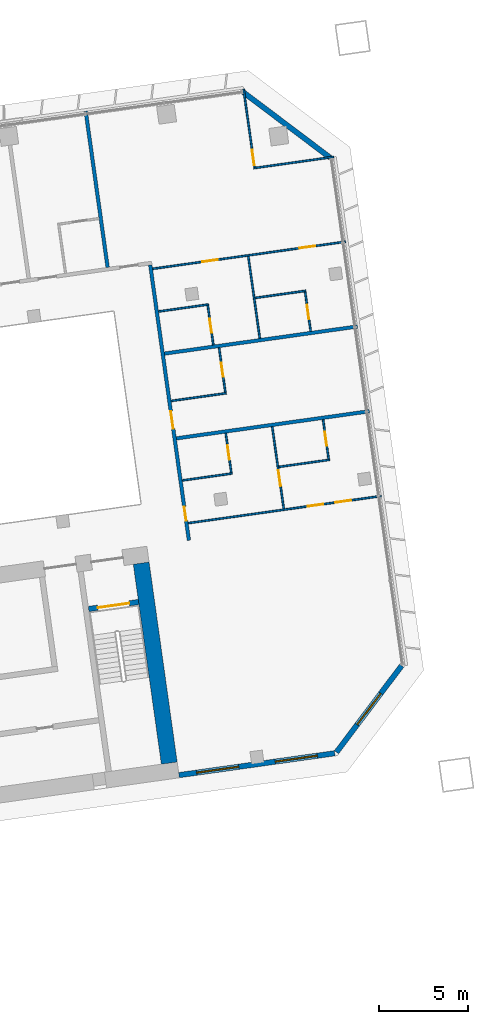
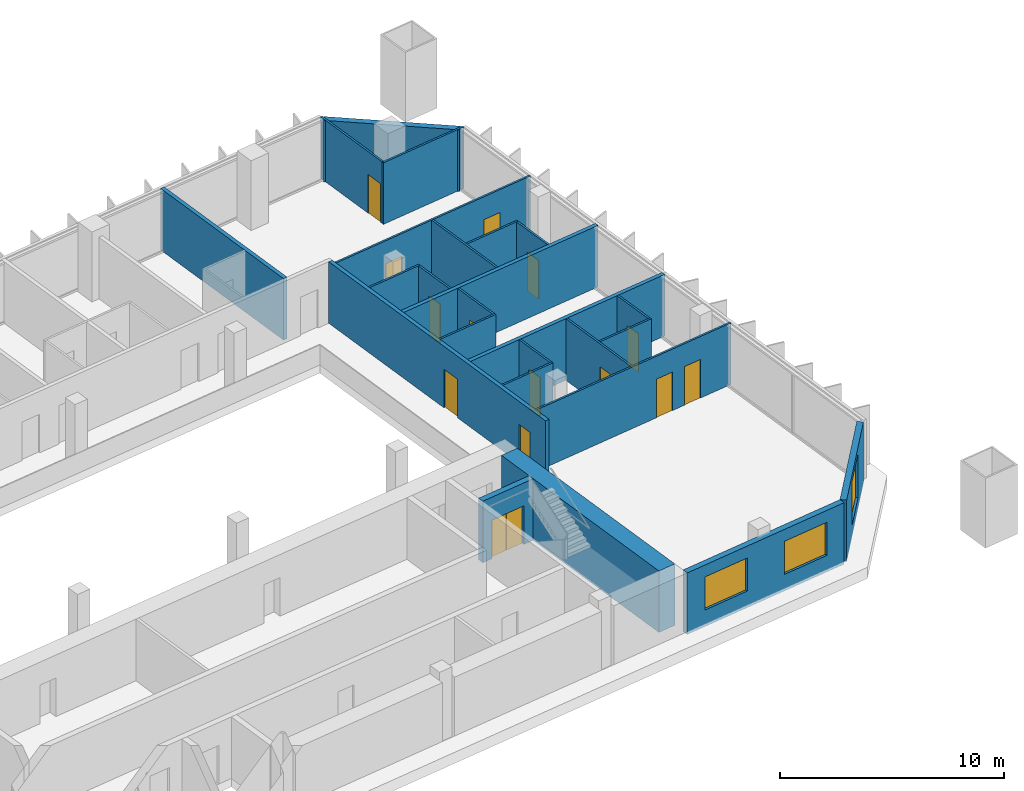
# One storey, part 22 of 25: 25 walls, 14 doors, 3 windows, 17 openings.
"""IFC4 building model written with IfcOpenShell, lengths in metres."""

from ifc_helpers import new_model, si_unit, direction, frame, frame_2d, origin, place, context, subcontext, project, spatial, rectangle, extrude, material, layer, layer_set, type_object, element, fill, save


model = new_model("IFC4")

# Units and contexts
model_context = context("Model", 3, precision=1e-05, world=origin(), true_north=direction((0.0, 1.0)))
body_context = subcontext(model_context, "Body", "Model", "MODEL_VIEW")
ifc_project = project(units=[si_unit("LENGTHUNIT", "METRE"), si_unit("AREAUNIT", "SQUARE_METRE"), si_unit("VOLUMEUNIT", "CUBIC_METRE"), si_unit("PLANEANGLEUNIT", "RADIAN"), si_unit("MASSUNIT", "GRAM", prefix="KILO")], contexts=[model_context])

# Site, building, storey
site_placement = place(None, origin())
site = spatial("IfcSite", under=ifc_project, at=site_placement, CompositionType="ELEMENT")
building_placement = place(site_placement, origin())
building = spatial("IfcBuilding", under=site, at=building_placement, Name="Mirante Cascada Hotel Towers", CompositionType="ELEMENT")
storey_placement = place(building_placement, frame((0.0, 0.0, 73.7)))
storey = spatial("IfcBuildingStorey", under=building, at=storey_placement, Name="L15", CompositionType="ELEMENT", Elevation=73.7)

# Walls
ifc_material_1 = material(Name="Fire-rated plasterboard on metal studs")
ifc_layer_1 = layer(ifc_material_1, 0.2)
ifc_layer_set_1 = layer_set([ifc_layer_1], Name="Compartment wall 200 EI 120")
wall_type_1 = type_object("IfcWallType", Name="Compartment wall 200 EI 120", PredefinedType="PARTITIONING", material=ifc_layer_set_1)
for number, where, z_axis, x_axis, name in (
    (1, (101.2993, 8.0205, 0.0), (0.0, 0.0, 1.0), (-0.990268, -0.1391733, 0.0), "Wall 2-L15-07"),
    (2, (89.7337, 11.2758, 0.0), (0.0, 0.0, 1.0), (0.990268, 0.1391733, 0.0), "Wall 2-L15-12"),
):
    element("IfcWall", number, at=place(storey_placement, frame(where, z_axis=z_axis, x_axis=x_axis)), inside=storey, type_object=wall_type_1, Name=name, PredefinedType="PARTITIONING", context=body_context, shape_type="SweptSolid", body=[
        extrude(rectangle(XDim=11.0, YDim=0.2, at=frame_2d((5.5, 0.0))), origin(), (0.0, 0.0, 1.0), 3.35),
    ])
wall_1_placement = place(storey_placement, frame((85.2864, 24.9567, 0.0), z_axis=(0.0, 0.0, 1.0), x_axis=(0.1391684, -0.9902687, 0.0)))
element("IfcWall", 3, at=wall_1_placement, inside=storey, type_object=wall_type_1, Name="Wall 2-L15-51", PredefinedType="PARTITIONING", context=body_context, shape_type="SweptSolid", body=[
    extrude(rectangle(XDim=8.9, YDim=0.2, at=frame_2d((4.45, 0.0))), origin(), (0.0, 0.0, 1.0), 3.35),
])

# Wall, openings, doors
wall_2_placement = place(storey_placement, frame((91.1145, 0.7321, 0.0), z_axis=(0.0, 0.0, 1.0), x_axis=(-0.1391721, 0.9902682, 0.0)))
wall_2 = element("IfcWall", 4, at=wall_2_placement, inside=storey, type_object=wall_type_1, Name="Wall 2-L15-52", PredefinedType="PARTITIONING", context=body_context, shape_type="SweptSolid", body=[
    extrude(rectangle(XDim=15.7, YDim=0.2, at=frame_2d((7.85, 0.0))), origin(), (0.0, 0.0, 1.0), 3.35),
])
opening_1_placement = place(wall_2_placement, frame((1.1167, 0.0, 0.0)))
opening_1 = element("IfcOpeningElement", 5, at=opening_1_placement, cuts=wall_2, Name="Opening D2-L15-34", PredefinedType="OPENING", context=body_context, shape_type="SweptSolid", body=[
    extrude(rectangle(XDim=0.8, YDim=2.1, at=frame_2d((0.4, 1.05))), frame((0.0, 0.1, 0.0), z_axis=(0.0, -1.0, 0.0), x_axis=(1.0, 0.0, 0.0)), (0.0, 0.0, 1.0), 0.2),
])
opening_2_placement = place(wall_2_placement, frame((6.3666, 0.0, 0.0)))
opening_2 = element("IfcOpeningElement", 6, at=opening_2_placement, cuts=wall_2, Name="Opening D2-L15-35", PredefinedType="OPENING", context=body_context, shape_type="SweptSolid", body=[
    extrude(rectangle(XDim=1.0, YDim=2.1, at=frame_2d((0.5, 1.05))), frame((0.0, 0.1, 0.0), z_axis=(0.0, -1.0, 0.0), x_axis=(1.0, 0.0, 0.0)), (0.0, 0.0, 1.0), 0.2),
])
ifc_material_2 = material(Name="Fire-rated timber door leaf", Category="wood")
door_type_1 = type_object("IfcDoorType", Name="Bathroom door DG4 800x2100 EI 60", OperationType="SINGLE_SWING_LEFT", PredefinedType="DOOR", material=ifc_material_2)
door_1_placement = place(opening_1_placement, origin())
door_1 = element("IfcDoor", 7, at=door_1_placement, inside=storey, type_object=door_type_1, Name="Door D2-L15-34", OperationType="SINGLE_SWING_LEFT", OverallHeight=2.1, OverallWidth=0.8, PredefinedType="DOOR", context=body_context, shape_type="SweptSolid", body=[
    extrude(rectangle(XDim=0.8, YDim=2.1, at=frame_2d((0.4, 1.05))), frame((0.0, 0.025, 0.0), z_axis=(0.0, -1.0, 0.0), x_axis=(1.0, 0.0, 0.0)), (0.0, 0.0, 1.0), 0.05),
])
fill(opening_1, door_1)
ifc_material_3 = material(Name="Fire-rated timber door leaf", Category="wood")
door_type_2 = type_object("IfcDoorType", Name="Entrance door DG1 1000x2100 EI 60", OperationType="SINGLE_SWING_LEFT", PredefinedType="DOOR", material=ifc_material_3)
door_2_placement = place(opening_2_placement, frame((1.0, 0.0, 0.0), z_axis=(0.0, 0.0, 1.0), x_axis=(-1.0, 0.0, 0.0)))
door_2 = element("IfcDoor", 8, at=door_2_placement, inside=storey, type_object=door_type_2, Name="Door D2-L15-35", OperationType="SINGLE_SWING_RIGHT", OverallHeight=2.1, OverallWidth=1.0, PredefinedType="DOOR", context=body_context, shape_type="SweptSolid", body=[
    extrude(rectangle(XDim=1.0, YDim=2.1, at=frame_2d((0.5, 1.05))), frame((0.0, 0.025, 0.0), z_axis=(0.0, -1.0, 0.0), x_axis=(1.0, 0.0, 0.0)), (0.0, 0.0, 1.0), 0.05),
])
fill(opening_2, door_2)

ifc_material_4 = material(Name="Plasterboard on metal studs")
ifc_layer_2 = layer(ifc_material_4, 0.1)
ifc_layer_set_2 = layer_set([ifc_layer_2], Name="Partition 100")
wall_type_2 = type_object("IfcWallType", Name="Partition 100", PredefinedType="PARTITIONING", material=ifc_layer_set_2)
wall_3_placement = place(storey_placement, frame((91.079, 1.7033, 0.0), z_axis=(0.0, 0.0, 1.0), x_axis=(0.9902682, 0.1391721, 0.0)))
wall_3 = element("IfcWall", 9, at=wall_3_placement, inside=storey, type_object=wall_type_2, Name="Wall 2-L15-02", PredefinedType="PARTITIONING", context=body_context, shape_type="SweptSolid", body=[
    extrude(rectangle(XDim=11.0001, YDim=0.1, at=frame_2d((5.5, 0.0))), origin(), (0.0, 0.0, 1.0), 3.35),
])
opening_3_placement = place(wall_3_placement, frame((6.8, 0.0, 0.0)))
opening_3 = element("IfcOpeningElement", 10, at=opening_3_placement, cuts=wall_3, Name="Opening D2-L15-02", PredefinedType="OPENING", context=body_context, shape_type="SweptSolid", body=[
    extrude(rectangle(XDim=0.9, YDim=2.1, at=frame_2d((0.45, 1.05))), frame((0.0, 0.05, 0.0), z_axis=(0.0, -1.0, 0.0), x_axis=(1.0, 0.0, 0.0)), (0.0, 0.0, 1.0), 0.1),
])
opening_4_placement = place(wall_3_placement, frame((8.375, 0.0, 0.0)))
opening_4 = element("IfcOpeningElement", 11, at=opening_4_placement, cuts=wall_3, Name="Opening D2-L15-03", PredefinedType="OPENING", context=body_context, shape_type="SweptSolid", body=[
    extrude(rectangle(XDim=0.9, YDim=2.1, at=frame_2d((0.45, 1.05))), frame((0.0, 0.05, 0.0), z_axis=(0.0, -1.0, 0.0), x_axis=(1.0, 0.0, 0.0)), (0.0, 0.0, 1.0), 0.1),
])
ifc_material_5 = material(Name="Timber door leaf", Category="wood")
door_type_3 = type_object("IfcDoorType", Name="Room door DG3 900x2100", OperationType="SINGLE_SWING_LEFT", PredefinedType="DOOR", material=ifc_material_5)
door_3_placement = place(opening_3_placement, frame((0.9, 0.0, 0.0), z_axis=(0.0, 0.0, 1.0), x_axis=(-1.0, 0.0, 0.0)))
door_3 = element("IfcDoor", 12, at=door_3_placement, inside=storey, type_object=door_type_3, Name="Door D2-L15-02", OperationType="SINGLE_SWING_RIGHT", OverallHeight=2.1, OverallWidth=0.9, PredefinedType="DOOR", context=body_context, shape_type="SweptSolid", body=[
    extrude(rectangle(XDim=0.9, YDim=2.1, at=frame_2d((0.45, 1.05))), frame((0.0, 0.025, 0.0), z_axis=(0.0, -1.0, 0.0), x_axis=(1.0, 0.0, 0.0)), (0.0, 0.0, 1.0), 0.05),
])
fill(opening_3, door_3)
door_4_placement = place(opening_4_placement, frame((0.9, 0.0, 0.0), z_axis=(0.0, 0.0, 1.0), x_axis=(-1.0, 0.0, 0.0)))
door_4 = element("IfcDoor", 13, at=door_4_placement, inside=storey, type_object=door_type_3, Name="Door D2-L15-03", OperationType="SINGLE_SWING_RIGHT", OverallHeight=2.1, OverallWidth=0.9, PredefinedType="DOOR", context=body_context, shape_type="SweptSolid", body=[
    extrude(rectangle(XDim=0.9, YDim=2.1, at=frame_2d((0.45, 1.05))), frame((0.0, 0.025, 0.0), z_axis=(0.0, -1.0, 0.0), x_axis=(1.0, 0.0, 0.0)), (0.0, 0.0, 1.0), 0.05),
])
fill(opening_4, door_4)

# Walls
wall_4_placement = place(storey_placement, frame((90.7404, 4.1129, 0.0), z_axis=(0.0, 0.0, 1.0), x_axis=(0.9902649, 0.1391957, 0.0)))
element("IfcWall", 14, at=wall_4_placement, inside=storey, type_object=wall_type_2, Name="Wall 2-L15-04", PredefinedType="PARTITIONING", context=body_context, shape_type="SweptSolid", body=[
    extrude(rectangle(XDim=2.8499, YDim=0.1, at=frame_2d((1.425, 0.0))), origin(), (0.0, 0.0, 1.0), 3.35),
])
wall_5_placement = place(storey_placement, frame((99.0586, 5.282, 0.0), z_axis=(0.0, 0.0, 1.0), x_axis=(-0.9902683, -0.1391714, 0.0)))
element("IfcWall", 15, at=wall_5_placement, inside=storey, type_object=wall_type_2, Name="Wall 2-L15-05", PredefinedType="PARTITIONING", context=body_context, shape_type="SweptSolid", body=[
    extrude(rectangle(XDim=2.9, YDim=0.1, at=frame_2d((1.45, 0.0))), origin(), (0.0, 0.0, 1.0), 3.35),
])
wall_6_placement = place(storey_placement, frame((90.1095, 8.6021, 0.0), z_axis=(0.0, 0.0, 1.0), x_axis=(0.9902676, 0.1391765, 0.0)))
element("IfcWall", 16, at=wall_6_placement, inside=storey, type_object=wall_type_2, Name="Wall 2-L15-08", PredefinedType="PARTITIONING", context=body_context, shape_type="SweptSolid", body=[
    extrude(rectangle(XDim=3.15, YDim=0.1, at=frame_2d((1.575, 0.0))), origin(), (0.0, 0.0, 1.0), 3.35),
])
wall_7_placement = place(storey_placement, frame((92.2219, 14.0491, 0.0), z_axis=(0.0, 0.0, 1.0), x_axis=(-0.9902697, -0.1391613, 0.0)))
element("IfcWall", 17, at=wall_7_placement, inside=storey, type_object=wall_type_2, Name="Wall 2-L15-15", PredefinedType="PARTITIONING", context=body_context, shape_type="SweptSolid", body=[
    extrude(rectangle(XDim=2.8499, YDim=0.1, at=frame_2d((1.425, 0.0))), origin(), (0.0, 0.0, 1.0), 3.35),
])
wall_8_placement = place(storey_placement, frame((94.8461, 14.4179, 0.0), z_axis=(0.0, 0.0, 1.0), x_axis=(0.9902683, 0.1391714, 0.0)))
element("IfcWall", 18, at=wall_8_placement, inside=storey, type_object=wall_type_2, Name="Wall 2-L15-16", PredefinedType="PARTITIONING", context=body_context, shape_type="SweptSolid", body=[
    extrude(rectangle(XDim=2.9, YDim=0.1, at=frame_2d((1.45, 0.0))), origin(), (0.0, 0.0, 1.0), 3.35),
])

# Wall, openings, doors
wall_9_placement = place(storey_placement, frame((89.061, 16.0622, 0.0), z_axis=(0.0, 0.0, 1.0), x_axis=(0.9902682, 0.1391721, 0.0)))
wall_9 = element("IfcWall", 19, at=wall_9_placement, inside=storey, type_object=wall_type_2, Name="Wall 2-L15-18", PredefinedType="PARTITIONING", context=body_context, shape_type="SweptSolid", body=[
    extrude(rectangle(XDim=11.0001, YDim=0.1, at=frame_2d((5.5, 0.0))), origin(), (0.0, 0.0, 1.0), 3.35),
])
opening_5_placement = place(wall_9_placement, frame((2.825, 0.0, 0.0)))
opening_5 = element("IfcOpeningElement", 20, at=opening_5_placement, cuts=wall_9, Name="Opening D2-L15-09", PredefinedType="OPENING", context=body_context, shape_type="SweptSolid", body=[
    extrude(rectangle(XDim=0.9, YDim=2.1, at=frame_2d((0.45, 1.05))), frame((0.0, 0.05, 0.0), z_axis=(0.0, -1.0, 0.0), x_axis=(1.0, 0.0, 0.0)), (0.0, 0.0, 1.0), 0.1),
])
opening_6_placement = place(wall_9_placement, frame((8.375, 0.0, 0.0)))
opening_6 = element("IfcOpeningElement", 21, at=opening_6_placement, cuts=wall_9, Name="Opening D2-L15-10", PredefinedType="OPENING", context=body_context, shape_type="SweptSolid", body=[
    extrude(rectangle(XDim=0.9, YDim=2.1, at=frame_2d((0.45, 1.05))), frame((0.0, 0.05, 0.0), z_axis=(0.0, -1.0, 0.0), x_axis=(1.0, 0.0, 0.0)), (0.0, 0.0, 1.0), 0.1),
])
door_5_placement = place(opening_5_placement, origin())
door_5 = element("IfcDoor", 22, at=door_5_placement, inside=storey, type_object=door_type_3, Name="Door D2-L15-09", OperationType="SINGLE_SWING_LEFT", OverallHeight=2.1, OverallWidth=0.9, PredefinedType="DOOR", context=body_context, shape_type="SweptSolid", body=[
    extrude(rectangle(XDim=0.9, YDim=2.1, at=frame_2d((0.45, 1.05))), frame((0.0, 0.025, 0.0), z_axis=(0.0, -1.0, 0.0), x_axis=(1.0, 0.0, 0.0)), (0.0, 0.0, 1.0), 0.05),
])
fill(opening_5, door_5)
door_6_placement = place(opening_6_placement, origin())
door_6 = element("IfcDoor", 23, at=door_6_placement, inside=storey, type_object=door_type_3, Name="Door D2-L15-10", OperationType="SINGLE_SWING_LEFT", OverallHeight=2.1, OverallWidth=0.9, PredefinedType="DOOR", context=body_context, shape_type="SweptSolid", body=[
    extrude(rectangle(XDim=0.9, YDim=2.1, at=frame_2d((0.45, 1.05))), frame((0.0, 0.025, 0.0), z_axis=(0.0, -1.0, 0.0), x_axis=(1.0, 0.0, 0.0)), (0.0, 0.0, 1.0), 0.05),
])
fill(opening_6, door_6)

# Wall
wall_10_placement = place(storey_placement, frame((94.7756, 21.7461, 0.0), z_axis=(0.0, 0.0, 1.0), x_axis=(0.9902661, 0.1391871, 0.0)))
element("IfcWall", 24, at=wall_10_placement, inside=storey, type_object=wall_type_2, Name="Wall 2-L15-28", PredefinedType="PARTITIONING", context=body_context, shape_type="SweptSolid", body=[
    extrude(rectangle(XDim=4.55, YDim=0.1, at=frame_2d((2.275, 0.0))), origin(), (0.0, 0.0, 1.0), 3.35),
])

# Wall, opening, door
wall_11_placement = place(storey_placement, frame((93.193, 6.7802, 0.0), z_axis=(0.0, 0.0, 1.0), x_axis=(0.1391997, -0.9902643, 0.0)))
wall_11 = element("IfcWall", 25, at=wall_11_placement, inside=storey, type_object=wall_type_2, Name="Wall 2-L15-53", PredefinedType="PARTITIONING", context=body_context, shape_type="SweptSolid", body=[
    extrude(rectangle(XDim=2.25, YDim=0.1, at=frame_2d((1.125, 0.0))), origin(), (0.0, 0.0, 1.0), 3.35),
])
opening_7_placement = place(wall_11_placement, frame((0.7, 0.0, 0.0)))
opening_7 = element("IfcOpeningElement", 26, at=opening_7_placement, cuts=wall_11, Name="Opening D2-L15-36", PredefinedType="OPENING", context=body_context, shape_type="SweptSolid", body=[
    extrude(rectangle(XDim=0.8, YDim=2.1, at=frame_2d((0.4, 1.05))), frame((0.0, 0.05, 0.0), z_axis=(0.0, -1.0, 0.0), x_axis=(1.0, 0.0, 0.0)), (0.0, 0.0, 1.0), 0.1),
])
ifc_material_6 = material(Name="Timber door leaf", Category="wood")
door_type_4 = type_object("IfcDoorType", Name="Bathroom door DG4 800x2100", OperationType="SINGLE_SWING_LEFT", PredefinedType="DOOR", material=ifc_material_6)
door_7_placement = place(opening_7_placement, frame((0.8, 0.0, 0.0), z_axis=(0.0, 0.0, 1.0), x_axis=(-1.0, 0.0, 0.0)))
door_7 = element("IfcDoor", 27, at=door_7_placement, inside=storey, type_object=door_type_4, Name="Door D2-L15-36", OperationType="SINGLE_SWING_RIGHT", OverallHeight=2.1, OverallWidth=0.8, PredefinedType="DOOR", context=body_context, shape_type="SweptSolid", body=[
    extrude(rectangle(XDim=0.8, YDim=2.1, at=frame_2d((0.4, 1.05))), frame((0.0, 0.025, 0.0), z_axis=(0.0, -1.0, 0.0), x_axis=(1.0, 0.0, 0.0)), (0.0, 0.0, 1.0), 0.05),
])
fill(opening_7, door_7)

wall_12_placement = place(storey_placement, frame((92.4925, 11.7645, 0.0), z_axis=(0.0, 0.0, 1.0), x_axis=(-0.1391561, 0.9902705, 0.0)))
wall_12 = element("IfcWall", 28, at=wall_12_placement, inside=storey, type_object=wall_type_2, Name="Wall 2-L15-54", PredefinedType="PARTITIONING", context=body_context, shape_type="SweptSolid", body=[
    extrude(rectangle(XDim=2.25, YDim=0.1, at=frame_2d((1.125, 0.0))), origin(), (0.0, 0.0, 1.0), 3.35),
])
opening_8_placement = place(wall_12_placement, frame((0.7, 0.0, 0.0)))
opening_8 = element("IfcOpeningElement", 29, at=opening_8_placement, cuts=wall_12, Name="Opening D2-L15-37", PredefinedType="OPENING", context=body_context, shape_type="SweptSolid", body=[
    extrude(rectangle(XDim=0.8, YDim=2.1, at=frame_2d((0.4, 1.05))), frame((0.0, 0.05, 0.0), z_axis=(0.0, -1.0, 0.0), x_axis=(1.0, 0.0, 0.0)), (0.0, 0.0, 1.0), 0.1),
])
door_8_placement = place(opening_8_placement, origin())
door_8 = element("IfcDoor", 30, at=door_8_placement, inside=storey, type_object=door_type_4, Name="Door D2-L15-37", OperationType="SINGLE_SWING_LEFT", OverallHeight=2.1, OverallWidth=0.8, PredefinedType="DOOR", context=body_context, shape_type="SweptSolid", body=[
    extrude(rectangle(XDim=0.8, YDim=2.1, at=frame_2d((0.4, 1.05))), frame((0.0, 0.025, 0.0), z_axis=(0.0, -1.0, 0.0), x_axis=(1.0, 0.0, 0.0)), (0.0, 0.0, 1.0), 0.05),
])
fill(opening_8, door_8)

wall_13_placement = place(storey_placement, frame((92.8174, 11.6082, 0.0), z_axis=(0.0, 0.0, 1.0), x_axis=(0.1391755, -0.9902677, 0.0)))
wall_13 = element("IfcWall", 31, at=wall_13_placement, inside=storey, type_object=wall_type_2, Name="Wall 2-L15-55", PredefinedType="PARTITIONING", context=body_context, shape_type="SweptSolid", body=[
    extrude(rectangle(XDim=2.55, YDim=0.1, at=frame_2d((1.275, 0.0))), origin(), (0.0, 0.0, 1.0), 3.35),
])
opening_9_placement = place(wall_13_placement, frame((0.85, 0.0, 0.0)))
opening_9 = element("IfcOpeningElement", 32, at=opening_9_placement, cuts=wall_13, Name="Opening D2-L15-38", PredefinedType="OPENING", context=body_context, shape_type="SweptSolid", body=[
    extrude(rectangle(XDim=0.8, YDim=2.1, at=frame_2d((0.4, 1.05))), frame((0.0, 0.05, 0.0), z_axis=(0.0, -1.0, 0.0), x_axis=(1.0, 0.0, 0.0)), (0.0, 0.0, 1.0), 0.1),
])
door_9_placement = place(opening_9_placement, origin())
door_9 = element("IfcDoor", 33, at=door_9_placement, inside=storey, type_object=door_type_4, Name="Door D2-L15-38", OperationType="SINGLE_SWING_LEFT", OverallHeight=2.1, OverallWidth=0.8, PredefinedType="DOOR", context=body_context, shape_type="SweptSolid", body=[
    extrude(rectangle(XDim=0.8, YDim=2.1, at=frame_2d((0.4, 1.05))), frame((0.0, 0.025, 0.0), z_axis=(0.0, -1.0, 0.0), x_axis=(1.0, 0.0, 0.0)), (0.0, 0.0, 1.0), 0.05),
])
fill(opening_9, door_9)

wall_14_placement = place(storey_placement, frame((96.469, 2.5113, 0.0), z_axis=(0.0, 0.0, 1.0), x_axis=(-0.139176, 0.9902677, 0.0)))
wall_14 = element("IfcWall", 34, at=wall_14_placement, inside=storey, type_object=wall_type_2, Name="Wall 2-L15-56", PredefinedType="PARTITIONING", context=body_context, shape_type="SweptSolid", body=[
    extrude(rectangle(XDim=4.6833, YDim=0.1, at=frame_2d((2.3416, 0.0))), origin(), (0.0, 0.0, 1.0), 3.35),
])
opening_10_placement = place(wall_14_placement, frame((1.3, 0.0, 0.0)))
opening_10 = element("IfcOpeningElement", 35, at=opening_10_placement, cuts=wall_14, Name="Opening D2-L15-39", PredefinedType="OPENING", context=body_context, shape_type="SweptSolid", body=[
    extrude(rectangle(XDim=0.9, YDim=2.1, at=frame_2d((0.45, 1.05))), frame((0.0, 0.05, 0.0), z_axis=(0.0, -1.0, 0.0), x_axis=(1.0, 0.0, 0.0)), (0.0, 0.0, 1.0), 0.1),
])
door_10_placement = place(opening_10_placement, origin())
door_10 = element("IfcDoor", 36, at=door_10_placement, inside=storey, type_object=door_type_3, Name="Door D2-L15-39", OperationType="SINGLE_SWING_LEFT", OverallHeight=2.1, OverallWidth=0.9, PredefinedType="DOOR", context=body_context, shape_type="SweptSolid", body=[
    extrude(rectangle(XDim=0.9, YDim=2.1, at=frame_2d((0.45, 1.05))), frame((0.0, 0.025, 0.0), z_axis=(0.0, -1.0, 0.0), x_axis=(1.0, 0.0, 0.0)), (0.0, 0.0, 1.0), 0.05),
])
fill(opening_10, door_10)

# Wall
wall_15_placement = place(storey_placement, frame((94.4649, 16.7712, 0.0), z_axis=(0.0, 0.0, 1.0), x_axis=(0.1391701, -0.9902685, 0.0)))
element("IfcWall", 37, at=wall_15_placement, inside=storey, type_object=wall_type_2, Name="Wall 2-L15-57", PredefinedType="PARTITIONING", context=body_context, shape_type="SweptSolid", body=[
    extrude(rectangle(XDim=4.6835, YDim=0.1, at=frame_2d((2.3418, 0.0))), origin(), (0.0, 0.0, 1.0), 3.35),
])

# Wall, opening, door
wall_16_placement = place(storey_placement, frame((94.8181, 21.8026, 0.0), z_axis=(0.0, 0.0, 1.0), x_axis=(-0.1391684, 0.9902687, 0.0)))
wall_16 = element("IfcWall", 38, at=wall_16_placement, inside=storey, type_object=wall_type_2, Name="Wall 2-L15-58", PredefinedType="PARTITIONING", context=body_context, shape_type="SweptSolid", body=[
    extrude(rectangle(XDim=4.45, YDim=0.1, at=frame_2d((2.225, 0.0))), origin(), (0.0, 0.0, 1.0), 3.35),
])
opening_11_placement = place(wall_16_placement, frame((0.1, 0.0, 0.0)))
opening_11 = element("IfcOpeningElement", 39, at=opening_11_placement, cuts=wall_16, Name="Opening D2-L15-40", PredefinedType="OPENING", context=body_context, shape_type="SweptSolid", body=[
    extrude(rectangle(XDim=0.9, YDim=2.1, at=frame_2d((0.45, 1.05))), frame((0.0, 0.05, 0.0), z_axis=(0.0, -1.0, 0.0), x_axis=(1.0, 0.0, 0.0)), (0.0, 0.0, 1.0), 0.1),
])
door_11_placement = place(opening_11_placement, origin())
door_11 = element("IfcDoor", 40, at=door_11_placement, inside=storey, type_object=door_type_3, Name="Door D2-L15-40", OperationType="SINGLE_SWING_LEFT", OverallHeight=2.1, OverallWidth=0.9, PredefinedType="DOOR", context=body_context, shape_type="SweptSolid", body=[
    extrude(rectangle(XDim=0.9, YDim=2.1, at=frame_2d((0.45, 1.05))), frame((0.0, 0.025, 0.0), z_axis=(0.0, -1.0, 0.0), x_axis=(1.0, 0.0, 0.0)), (0.0, 0.0, 1.0), 0.05),
])
fill(opening_11, door_11)

wall_17_placement = place(storey_placement, frame((98.689, 7.5526, 0.0), z_axis=(0.0, 0.0, 1.0), x_axis=(0.1391561, -0.9902705, 0.0)))
wall_17 = element("IfcWall", 41, at=wall_17_placement, inside=storey, type_object=wall_type_2, Name="Wall 2-L15-59", PredefinedType="PARTITIONING", context=body_context, shape_type="SweptSolid", body=[
    extrude(rectangle(XDim=2.25, YDim=0.1, at=frame_2d((1.125, 0.0))), origin(), (0.0, 0.0, 1.0), 3.35),
])
opening_12_placement = place(wall_17_placement, frame((0.7, 0.0, 0.0)))
opening_12 = element("IfcOpeningElement", 42, at=opening_12_placement, cuts=wall_17, Name="Opening D2-L15-41", PredefinedType="OPENING", context=body_context, shape_type="SweptSolid", body=[
    extrude(rectangle(XDim=0.8, YDim=2.1, at=frame_2d((0.4, 1.05))), frame((0.0, 0.05, 0.0), z_axis=(0.0, -1.0, 0.0), x_axis=(1.0, 0.0, 0.0)), (0.0, 0.0, 1.0), 0.1),
])
door_12_placement = place(opening_12_placement, frame((0.8, 0.0, 0.0), z_axis=(0.0, 0.0, 1.0), x_axis=(-1.0, 0.0, 0.0)))
door_12 = element("IfcDoor", 43, at=door_12_placement, inside=storey, type_object=door_type_4, Name="Door D2-L15-41", OperationType="SINGLE_SWING_RIGHT", OverallHeight=2.1, OverallWidth=0.8, PredefinedType="DOOR", context=body_context, shape_type="SweptSolid", body=[
    extrude(rectangle(XDim=0.8, YDim=2.1, at=frame_2d((0.4, 1.05))), frame((0.0, 0.025, 0.0), z_axis=(0.0, -1.0, 0.0), x_axis=(1.0, 0.0, 0.0)), (0.0, 0.0, 1.0), 0.05),
])
fill(opening_12, door_12)

wall_18_placement = place(storey_placement, frame((97.9885, 12.5369, 0.0), z_axis=(0.0, 0.0, 1.0), x_axis=(-0.1391561, 0.9902705, 0.0)))
wall_18 = element("IfcWall", 44, at=wall_18_placement, inside=storey, type_object=wall_type_2, Name="Wall 2-L15-60", PredefinedType="PARTITIONING", context=body_context, shape_type="SweptSolid", body=[
    extrude(rectangle(XDim=2.25, YDim=0.1, at=frame_2d((1.125, 0.0))), origin(), (0.0, 0.0, 1.0), 3.35),
])
opening_13_placement = place(wall_18_placement, frame((0.7, 0.0, 0.0)))
opening_13 = element("IfcOpeningElement", 45, at=opening_13_placement, cuts=wall_18, Name="Opening D2-L15-42", PredefinedType="OPENING", context=body_context, shape_type="SweptSolid", body=[
    extrude(rectangle(XDim=0.8, YDim=2.1, at=frame_2d((0.4, 1.05))), frame((0.0, 0.05, 0.0), z_axis=(0.0, -1.0, 0.0), x_axis=(1.0, 0.0, 0.0)), (0.0, 0.0, 1.0), 0.1),
])
door_13_placement = place(opening_13_placement, origin())
door_13 = element("IfcDoor", 46, at=door_13_placement, inside=storey, type_object=door_type_4, Name="Door D2-L15-42", OperationType="SINGLE_SWING_LEFT", OverallHeight=2.1, OverallWidth=0.8, PredefinedType="DOOR", context=body_context, shape_type="SweptSolid", body=[
    extrude(rectangle(XDim=0.8, YDim=2.1, at=frame_2d((0.4, 1.05))), frame((0.0, 0.025, 0.0), z_axis=(0.0, -1.0, 0.0), x_axis=(1.0, 0.0, 0.0)), (0.0, 0.0, 1.0), 0.05),
])
fill(opening_13, door_13)

# Wall, openings, windows
ifc_material_7 = material(Name="Precast concrete C40/50", Category="concrete")
ifc_layer_3 = layer(ifc_material_7, 0.3)
ifc_layer_set_3 = layer_set([ifc_layer_3], Name="Precast concrete C40/50 cladding wall 300")
wall_type_3 = type_object("IfcWallType", Name="Precast concrete C40/50 cladding wall 300", PredefinedType="STANDARD", material=ifc_layer_set_3)
wall_19_placement = place(storey_placement, frame((90.5541, -12.5249, 0.0), z_axis=(0.0, 0.0, 1.0), x_axis=(0.9902676, 0.1391765, 0.0)))
wall_19 = element("IfcWall", 47, at=wall_19_placement, inside=storey, type_object=wall_type_3, Name="Rear cladding wall T2 L15 1", PredefinedType="STANDARD", context=body_context, shape_type="SweptSolid", body=[
    extrude(rectangle(XDim=8.8758, YDim=0.3, at=frame_2d((4.4379, 0.0))), origin(), (0.0, 0.0, 1.0), 3.35),
])
opening_14_placement = place(wall_19_placement, frame((1.0012, 0.0, 0.9)))
opening_14 = element("IfcOpeningElement", 48, at=opening_14_placement, cuts=wall_19, Name="Opening W2-15-01", PredefinedType="OPENING", context=body_context, shape_type="SweptSolid", body=[
    extrude(rectangle(XDim=2.4, YDim=1.8, at=frame_2d((1.2, 0.9))), frame((0.0, 0.15, 0.0), z_axis=(0.0, -1.0, 0.0), x_axis=(1.0, 0.0, 0.0)), (0.0, 0.0, 1.0), 0.3),
])
opening_15_placement = place(wall_19_placement, frame((5.4923, 0.0, 0.9)))
opening_15 = element("IfcOpeningElement", 49, at=opening_15_placement, cuts=wall_19, Name="Opening W2-15-02", PredefinedType="OPENING", context=body_context, shape_type="SweptSolid", body=[
    extrude(rectangle(XDim=2.4, YDim=1.8, at=frame_2d((1.2, 0.9))), frame((0.0, 0.15, 0.0), z_axis=(0.0, -1.0, 0.0), x_axis=(1.0, 0.0, 0.0)), (0.0, 0.0, 1.0), 0.3),
])
ifc_material_8 = material(Name="Aluminium frame with clear double glazing", Category="aluminium")
window_type_1 = type_object("IfcWindowType", Name="Punched window 2400x1800", PartitioningType="DOUBLE_PANEL_VERTICAL", PredefinedType="WINDOW", material=ifc_material_8)
window_1_placement = place(opening_14_placement, origin())
window_1 = element("IfcWindow", 50, at=window_1_placement, inside=storey, type_object=window_type_1, Name="Window W2-15-01", OverallHeight=1.8, OverallWidth=2.4, PartitioningType="SINGLE_PANEL", PredefinedType="WINDOW", context=body_context, shape_type="SweptSolid", body=[
    extrude(rectangle(XDim=2.4, YDim=1.8, at=frame_2d((1.2, 0.9))), frame((0.0, 0.03, 0.0), z_axis=(0.0, -1.0, 0.0), x_axis=(1.0, 0.0, 0.0)), (0.0, 0.0, 1.0), 0.06),
])
fill(opening_14, window_1)
window_2_placement = place(opening_15_placement, origin())
window_2 = element("IfcWindow", 51, at=window_2_placement, inside=storey, type_object=window_type_1, Name="Window W2-15-02", OverallHeight=1.8, OverallWidth=2.4, PartitioningType="SINGLE_PANEL", PredefinedType="WINDOW", context=body_context, shape_type="SweptSolid", body=[
    extrude(rectangle(XDim=2.4, YDim=1.8, at=frame_2d((1.2, 0.9))), frame((0.0, 0.03, 0.0), z_axis=(0.0, -1.0, 0.0), x_axis=(1.0, 0.0, 0.0)), (0.0, 0.0, 1.0), 0.06),
])
fill(opening_15, window_2)

# Wall, opening, window
wall_20_placement = place(storey_placement, frame((99.4424, -11.2313, 0.0), z_axis=(0.0, 0.0, 1.0), x_axis=(0.6018194, 0.7986322, 0.0)))
wall_20 = element("IfcWall", 52, at=wall_20_placement, inside=storey, type_object=wall_type_3, Name="Corner cladding wall T2 L15 rear outer", PredefinedType="STANDARD", context=body_context, shape_type="SweptSolid", body=[
    extrude(rectangle(XDim=6.1155, YDim=0.3, at=frame_2d((3.0578, 0.0))), origin(), (0.0, 0.0, 1.0), 3.35),
])
opening_16_placement = place(wall_20_placement, frame((1.9576, 0.0, 0.6)))
opening_16 = element("IfcOpeningElement", 53, at=opening_16_placement, cuts=wall_20, Name="Opening W2-15-03", PredefinedType="OPENING", context=body_context, shape_type="SweptSolid", body=[
    extrude(rectangle(XDim=2.2, YDim=2.4, at=frame_2d((1.1, 1.2))), frame((0.0, 0.15, 0.0), z_axis=(0.0, -1.0, 0.0), x_axis=(1.0, 0.0, 0.0)), (0.0, 0.0, 1.0), 0.3),
])
ifc_material_9 = material(Name="Aluminium frame with clear double glazing", Category="aluminium")
window_type_2 = type_object("IfcWindowType", Name="Corner suite window 2200x2400", PartitioningType="DOUBLE_PANEL_VERTICAL", PredefinedType="WINDOW", material=ifc_material_9)
window_3_placement = place(opening_16_placement, origin())
window_3 = element("IfcWindow", 54, at=window_3_placement, inside=storey, type_object=window_type_2, Name="Window W2-15-03", OverallHeight=2.4, OverallWidth=2.2, PartitioningType="SINGLE_PANEL", PredefinedType="WINDOW", context=body_context, shape_type="SweptSolid", body=[
    extrude(rectangle(XDim=2.2, YDim=2.4, at=frame_2d((1.1, 1.2))), frame((0.0, 0.03, 0.0), z_axis=(0.0, -1.0, 0.0), x_axis=(1.0, 0.0, 0.0)), (0.0, 0.0, 1.0), 0.06),
])
fill(opening_16, window_3)

# Wall
wall_21_placement = place(storey_placement, frame((99.0919, 22.3343, 0.0), z_axis=(0.0, 0.0, 1.0), x_axis=(-0.7986362, 0.6018141, 0.0)))
element("IfcWall", 55, at=wall_21_placement, inside=storey, type_object=wall_type_3, Name="Corner cladding wall T2 L15 outer front", PredefinedType="STANDARD", context=body_context, shape_type="SweptSolid", body=[
    extrude(rectangle(XDim=6.1157, YDim=0.3, at=frame_2d((3.0578, 0.0))), origin(), (0.0, 0.0, 1.0), 3.35),
])

# Wall, opening, door
ifc_material_10 = material(Name="Concrete C50/60", Category="concrete")
ifc_layer_4 = layer(ifc_material_10, 0.3)
ifc_layer_set_4 = layer_set([ifc_layer_4], Name="RC core wall 300 C50/60")
wall_type_4 = type_object("IfcWallType", Name="RC core wall 300 C50/60", PredefinedType="SHEAR", material=ifc_layer_set_4)
wall_22_placement = place(storey_placement, frame((85.4489, -3.1441, 0.0), z_axis=(0.0, 0.0, 1.0), x_axis=(0.9902697, 0.1391613, 0.0)))
wall_22 = element("IfcWall", 56, at=wall_22_placement, inside=storey, type_object=wall_type_4, Name="Core wall T2:L15:11", PredefinedType="SHEAR", context=body_context, shape_type="SweptSolid", body=[
    extrude(rectangle(XDim=2.8499, YDim=0.3, at=frame_2d((1.425, 0.0))), origin(), (0.0, 0.0, 1.0), 3.35),
])
opening_17_placement = place(wall_22_placement, frame((0.525, 0.0, 0.0)))
opening_17 = element("IfcOpeningElement", 57, at=opening_17_placement, cuts=wall_22, Name="Opening D2-15-C17", PredefinedType="OPENING", context=body_context, shape_type="SweptSolid", body=[
    extrude(rectangle(XDim=1.8, YDim=2.1, at=frame_2d((0.9, 1.05))), frame((0.0, 0.15, 0.0), z_axis=(0.0, -1.0, 0.0), x_axis=(1.0, 0.0, 0.0)), (0.0, 0.0, 1.0), 0.3),
])
ifc_material_11 = material(Name="Hollow metal fire door leaf")
door_type_5 = type_object("IfcDoorType", Name="Double fire door 1800x2100 FD60", OperationType="DOUBLE_DOOR_SINGLE_SWING", PredefinedType="DOOR", material=ifc_material_11)
door_14_placement = place(opening_17_placement, frame((1.8, 0.0, 0.0), z_axis=(0.0, 0.0, 1.0), x_axis=(-1.0, 0.0, 0.0)))
door_14 = element("IfcDoor", 58, at=door_14_placement, inside=storey, type_object=door_type_5, Name="Stair door T2 L15 17", OperationType="DOUBLE_DOOR_SINGLE_SWING", OverallHeight=2.1, OverallWidth=1.8, PredefinedType="DOOR", context=body_context, shape_type="SweptSolid", body=[
    extrude(rectangle(XDim=0.895, YDim=2.1, at=frame_2d((0.4475, 1.05))), frame((0.0, 0.025, 0.0), z_axis=(0.0, -1.0, 0.0), x_axis=(1.0, 0.0, 0.0)), (0.0, 0.0, 1.0), 0.05),
    extrude(rectangle(XDim=0.895, YDim=2.1, at=frame_2d((1.3525, 1.05))), frame((0.0, 0.025, 0.0), z_axis=(0.0, -1.0, 0.0), x_axis=(1.0, 0.0, 0.0)), (0.0, 0.0, 1.0), 0.05),
])
fill(opening_17, door_14)

# Wall
ifc_material_12 = material(Name="Concrete C50/60", Category="concrete")
ifc_layer_5 = layer(ifc_material_12, 0.9)
ifc_layer_set_5 = layer_set([ifc_layer_5], Name="RC core wall 900 C50/60")
wall_type_5 = type_object("IfcWallType", Name="RC core wall 900 C50/60", PredefinedType="SHEAR", material=ifc_layer_set_5)
wall_23_placement = place(storey_placement, frame((90.0041, -11.8449, 0.0), z_axis=(0.0, 0.0, 1.0), x_axis=(-0.1391749, 0.9902678, 0.0)))
element("IfcWall", 59, at=wall_23_placement, inside=storey, type_object=wall_type_5, Name="Core wall T2:L15:4", PredefinedType="SHEAR", context=body_context, shape_type="SweptSolid", body=[
    extrude(rectangle(XDim=11.4, YDim=0.9, at=frame_2d((5.7, 0.0))), origin(), (0.0, 0.0, 1.0), 3.35),
])

save(model, "model.ifc")
